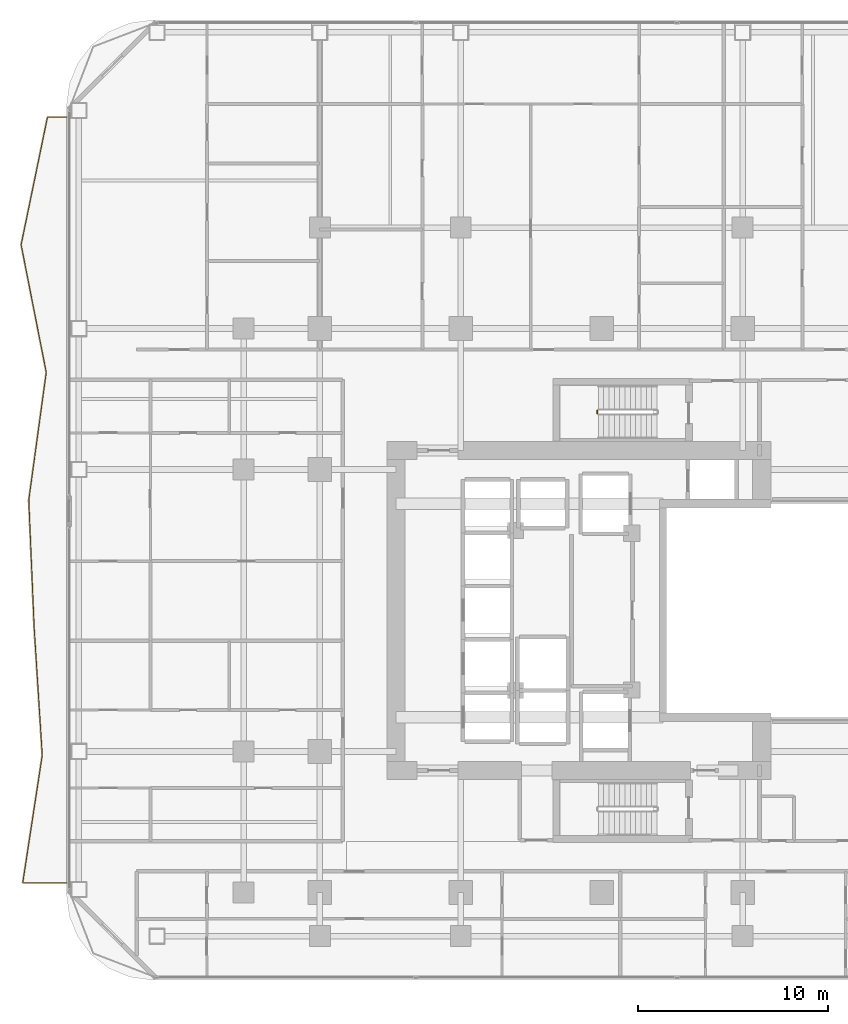
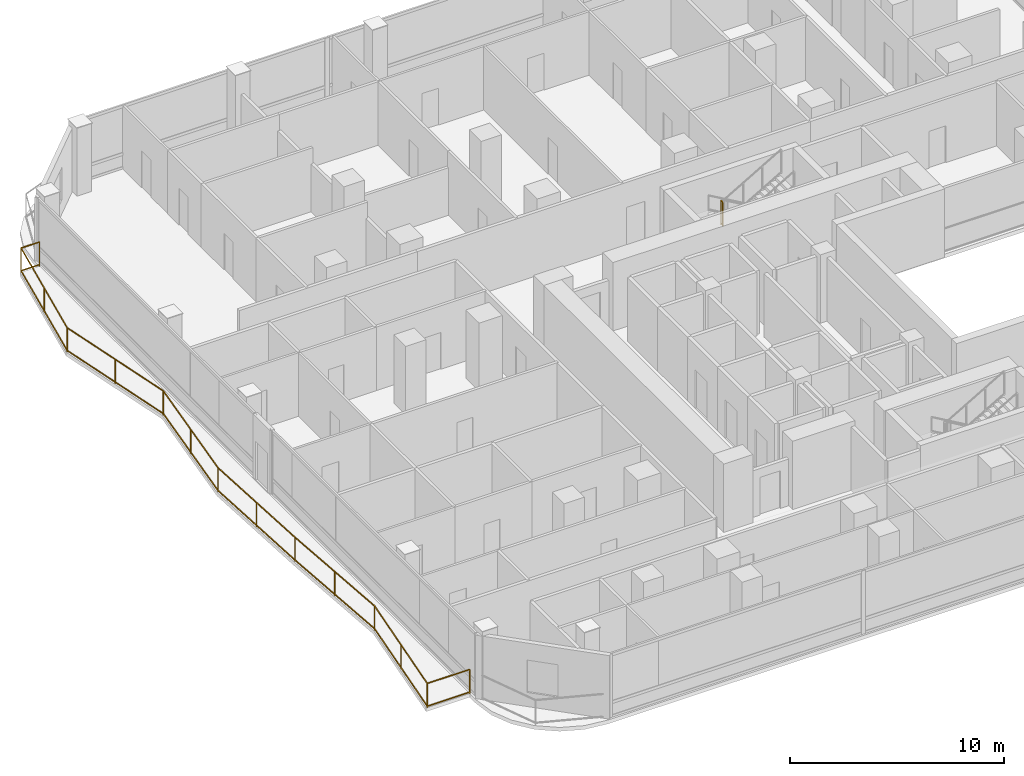
# One storey, part 26 of 28: 2 railings.
"""IFC4 building model written with IfcOpenShell, lengths in metres."""

from ifc_helpers import new_model, si_unit, direction, frame, origin, origin_2d, place, context, subcontext, project, spatial, rectangle, extrude, material, type_object, element, save


model = new_model("IFC4")

# Units and contexts
model_context = context("Model", 3, precision=1e-05, world=origin(), true_north=direction((0.0, 1.0)))
body_context = subcontext(model_context, "Body", "Model", "MODEL_VIEW")
ifc_project = project(units=[si_unit("LENGTHUNIT", "METRE"), si_unit("AREAUNIT", "SQUARE_METRE"), si_unit("VOLUMEUNIT", "CUBIC_METRE"), si_unit("PLANEANGLEUNIT", "RADIAN"), si_unit("MASSUNIT", "GRAM", prefix="KILO")], contexts=[model_context])

# Site, building, storey
site_placement = place(None, origin())
site = spatial("IfcSite", under=ifc_project, at=site_placement, CompositionType="ELEMENT")
building_placement = place(site_placement, origin())
building = spatial("IfcBuilding", under=site, at=building_placement, Name="Khorvyn Point Tower", CompositionType="ELEMENT")
storey_placement = place(building_placement, frame((0.0, 0.0, 104.699951171875)))
storey = spatial("IfcBuildingStorey", under=building, at=storey_placement, Name="L26", CompositionType="ELEMENT", Elevation=104.699951171875)

# Railings
ifc_material_1 = material(Name="Anodised aluminium 6063-T6 and laminated safety glass", Category="aluminium")
railing_type_1 = type_object("IfcRailingType", Name="Laminated Glass and Aluminium Balcony Guardrail 1400", PredefinedType="BALUSTRADE", material=ifc_material_1)
railing_1_placement = place(storey_placement, frame((-28.10009765625, 25.89990234375, 0.0)))
element("IfcRailing", 1, at=railing_1_placement, inside=storey, type_object=railing_type_1, Name="L26 West Balcony Guardrail", PredefinedType="BALUSTRADE", context=body_context, shape_type="SweptSolid", body=[
    extrude(rectangle(XDim=0.048095703125, YDim=0.048095703125, at=origin_2d()), frame((0.0, 0.0, 1.3759765625), z_axis=(-1.0, 0.0, 0.0), x_axis=(0.0, -1.0, 0.0)), (0.0, 0.0, 1.0), 0.9951171875),
    extrude(rectangle(XDim=0.048095703125, YDim=0.048095703125, at=origin_2d()), frame((0.0, 0.0, 0.080078125), z_axis=(-1.0, 0.0, 0.0), x_axis=(0.0, -1.0, 0.0)), (0.0, 0.0, 1.0), 0.9951171875),
    extrude(rectangle(XDim=0.048095703125, YDim=0.048095703125, at=origin_2d()), frame((-0.9951171875, 0.0, 1.3759765625), z_axis=(-0.20233655163, -0.979316046981, 0.0), x_axis=(0.979316046981, -0.20233655163, 0.0)), (0.0, 0.0, 1.0), 6.841552734375),
    extrude(rectangle(XDim=0.048095703125, YDim=0.048095703125, at=origin_2d()), frame((-0.9951171875, 0.0, 0.080078125), z_axis=(-0.20233655163, -0.979316046981, 0.0), x_axis=(0.979316046981, -0.20233655163, 0.0)), (0.0, 0.0, 1.0), 6.841552734375),
    extrude(rectangle(XDim=0.048095703125, YDim=0.048095703125, at=origin_2d()), frame((-2.37939453125, -6.699951171875, 1.3759765625), z_axis=(0.193241355357, -0.981151251632, 0.0), x_axis=(0.981151251632, 0.193241355357, 0.0)), (0.0, 0.0, 1.0), 6.82861328125),
    extrude(rectangle(XDim=0.048095703125, YDim=0.048095703125, at=origin_2d()), frame((-2.37939453125, -6.699951171875, 0.080078125), z_axis=(0.193241355357, -0.981151251632, 0.0), x_axis=(0.981151251632, 0.193241355357, 0.0)), (0.0, 0.0, 1.0), 6.82861328125),
    extrude(rectangle(XDim=0.048095703125, YDim=0.048095703125, at=origin_2d()), frame((-1.059814453125, -13.39990234375, 1.3759765625), z_axis=(-0.135778529509, -0.990739214387, 0.0), x_axis=(0.990739214387, -0.135778529509, 0.0)), (0.0, 0.0, 1.0), 6.7626953125),
    extrude(rectangle(XDim=0.048095703125, YDim=0.048095703125, at=origin_2d()), frame((-1.059814453125, -13.39990234375, 0.080078125), z_axis=(-0.135778529509, -0.990739214387, 0.0), x_axis=(0.990739214387, -0.135778529509, 0.0)), (0.0, 0.0, 1.0), 6.7626953125),
    extrude(rectangle(XDim=0.048095703125, YDim=0.048095703125, at=origin_2d()), frame((-1.97802734375, -20.099853515625, 1.3759765625), z_axis=(0.042159036431, -0.999110912585, 0.0), x_axis=(0.999110912585, 0.042159036431, 0.0)), (0.0, 0.0, 1.0), 6.705810546875),
    extrude(rectangle(XDim=0.048095703125, YDim=0.048095703125, at=origin_2d()), frame((-1.97802734375, -20.099853515625, 0.080078125), z_axis=(0.042159036431, -0.999110912585, 0.0), x_axis=(0.999110912585, 0.042159036431, 0.0)), (0.0, 0.0, 1.0), 6.705810546875),
    extrude(rectangle(XDim=0.048095703125, YDim=0.048095703125, at=origin_2d()), frame((-1.6953125, -26.7998046875, 1.3759765625), z_axis=(0.063274788245, -0.997996142865, 0.0), x_axis=(0.997996142865, 0.063274788245, 0.0)), (0.0, 0.0, 1.0), 6.713623046875),
    extrude(rectangle(XDim=0.048095703125, YDim=0.048095703125, at=origin_2d()), frame((-1.6953125, -26.7998046875, 0.080078125), z_axis=(0.063274788245, -0.997996142865, 0.0), x_axis=(0.997996142865, 0.063274788245, 0.0)), (0.0, 0.0, 1.0), 6.713623046875),
    extrude(rectangle(XDim=0.048095703125, YDim=0.048095703125, at=origin_2d()), frame((-1.2705078125, -33.5, 1.3759765625), z_axis=(-0.151071842168, -0.988522786032, 0.0), x_axis=(0.988522786032, -0.151071842168, 0.0)), (0.0, 0.0, 1.0), 6.77783203125),
    extrude(rectangle(XDim=0.048095703125, YDim=0.048095703125, at=origin_2d()), frame((-1.2705078125, -33.5, 0.080078125), z_axis=(-0.151071842168, -0.988522786032, 0.0), x_axis=(0.988522786032, -0.151071842168, 0.0)), (0.0, 0.0, 1.0), 6.77783203125),
    extrude(rectangle(XDim=0.048095703125, YDim=0.048095703125, at=origin_2d()), frame((-2.29443359375, -40.199951171875, 1.3759765625), z_axis=(1.0, 0.0, 0.0), x_axis=(0.0, 1.0, 0.0)), (0.0, 0.0, 1.0), 2.29443359375),
    extrude(rectangle(XDim=0.048095703125, YDim=0.048095703125, at=origin_2d()), frame((-2.29443359375, -40.199951171875, 0.080078125), z_axis=(1.0, 0.0, 0.0), x_axis=(0.0, 1.0, 0.0)), (0.0, 0.0, 1.0), 2.29443359375),
    extrude(rectangle(XDim=0.0419921875, YDim=0.0419921875, at=origin_2d()), origin(), (0.0, 0.0, 1.0), 1.351806640625),
    extrude(rectangle(XDim=0.0419921875, YDim=0.0419921875, at=origin_2d()), frame((-0.9951171875, 0.0, 0.0)), (0.0, 0.0, 1.0), 1.351806640625),
    extrude(rectangle(XDim=0.0419921875, YDim=0.0419921875, at=origin_2d()), frame((-1.687255859375, -3.35009765625, 0.0)), (0.0, 0.0, 1.0), 1.351806640625),
    extrude(rectangle(XDim=0.0419921875, YDim=0.0419921875, at=origin_2d()), frame((-2.37939453125, -6.699951171875, 0.0)), (0.0, 0.0, 1.0), 1.351806640625),
    extrude(rectangle(XDim=0.0419921875, YDim=0.0419921875, at=origin_2d()), frame((-1.7197265625, -10.0498046875, 0.0)), (0.0, 0.0, 1.0), 1.351806640625),
    extrude(rectangle(XDim=0.0419921875, YDim=0.0419921875, at=origin_2d()), frame((-1.059814453125, -13.39990234375, 0.0)), (0.0, 0.0, 1.0), 1.351806640625),
    extrude(rectangle(XDim=0.0419921875, YDim=0.0419921875, at=origin_2d()), frame((-1.51904296875, -16.75, 0.0)), (0.0, 0.0, 1.0), 1.351806640625),
    extrude(rectangle(XDim=0.0419921875, YDim=0.0419921875, at=origin_2d()), frame((-1.97802734375, -20.099853515625, 0.0)), (0.0, 0.0, 1.0), 1.351806640625),
    extrude(rectangle(XDim=0.0419921875, YDim=0.0419921875, at=origin_2d()), frame((-1.836669921875, -23.44970703125, 0.0)), (0.0, 0.0, 1.0), 1.351806640625),
    extrude(rectangle(XDim=0.0419921875, YDim=0.0419921875, at=origin_2d()), frame((-1.6953125, -26.7998046875, 0.0)), (0.0, 0.0, 1.0), 1.351806640625),
    extrude(rectangle(XDim=0.0419921875, YDim=0.0419921875, at=origin_2d()), frame((-1.48291015625, -30.14990234375, 0.0)), (0.0, 0.0, 1.0), 1.351806640625),
    extrude(rectangle(XDim=0.0419921875, YDim=0.0419921875, at=origin_2d()), frame((-1.2705078125, -33.5, 0.0)), (0.0, 0.0, 1.0), 1.351806640625),
    extrude(rectangle(XDim=0.0419921875, YDim=0.0419921875, at=origin_2d()), frame((-1.782470703125, -36.85009765625, 0.0)), (0.0, 0.0, 1.0), 1.351806640625),
    extrude(rectangle(XDim=0.0419921875, YDim=0.0419921875, at=origin_2d()), frame((-2.29443359375, -40.199951171875, 0.0)), (0.0, 0.0, 1.0), 1.351806640625),
    extrude(rectangle(XDim=0.0419921875, YDim=0.0419921875, at=origin_2d()), frame((0.0, -40.199951171875, 0.0)), (0.0, 0.0, 1.0), 1.351806640625),
])
ifc_material_2 = material(Name="Stainless steel 1.4301", Category="steel")
railing_type_2 = type_object("IfcRailingType", Name="Stainless Steel 304 Stair Well Guardrail 1400", PredefinedType="GUARDRAIL", material=ifc_material_2)
railing_2_placement = place(storey_placement, frame((-0.22998046875, 10.5, 1.949951171875)))
element("IfcRailing", 2, at=railing_2_placement, inside=storey, type_object=railing_type_2, Name="L26 ST-02 stair guard 2", PredefinedType="GUARDRAIL", context=body_context, shape_type="SweptSolid", body=[
    extrude(rectangle(XDim=0.048095703125, YDim=0.048095703125, at=origin_2d()), frame((0.0, 0.0, 1.3759765625), z_axis=(0.0, -1.0, 0.0), x_axis=(1.0, 0.0, 0.0)), (0.0, 0.0, 1.0), 0.159912109375),
    extrude(rectangle(XDim=0.048095703125, YDim=0.048095703125, at=origin_2d()), frame((0.0, 0.0, 0.080078125), z_axis=(0.0, -1.0, 0.0), x_axis=(1.0, 0.0, 0.0)), (0.0, 0.0, 1.0), 0.159912109375),
    extrude(rectangle(XDim=0.0419921875, YDim=0.0419921875, at=origin_2d()), origin(), (0.0, 0.0, 1.0), 1.351806640625),
    extrude(rectangle(XDim=0.0419921875, YDim=0.0419921875, at=origin_2d()), frame((0.0, -0.159912109375, 0.0)), (0.0, 0.0, 1.0), 1.351806640625),
])

save(model, "model.ifc")
